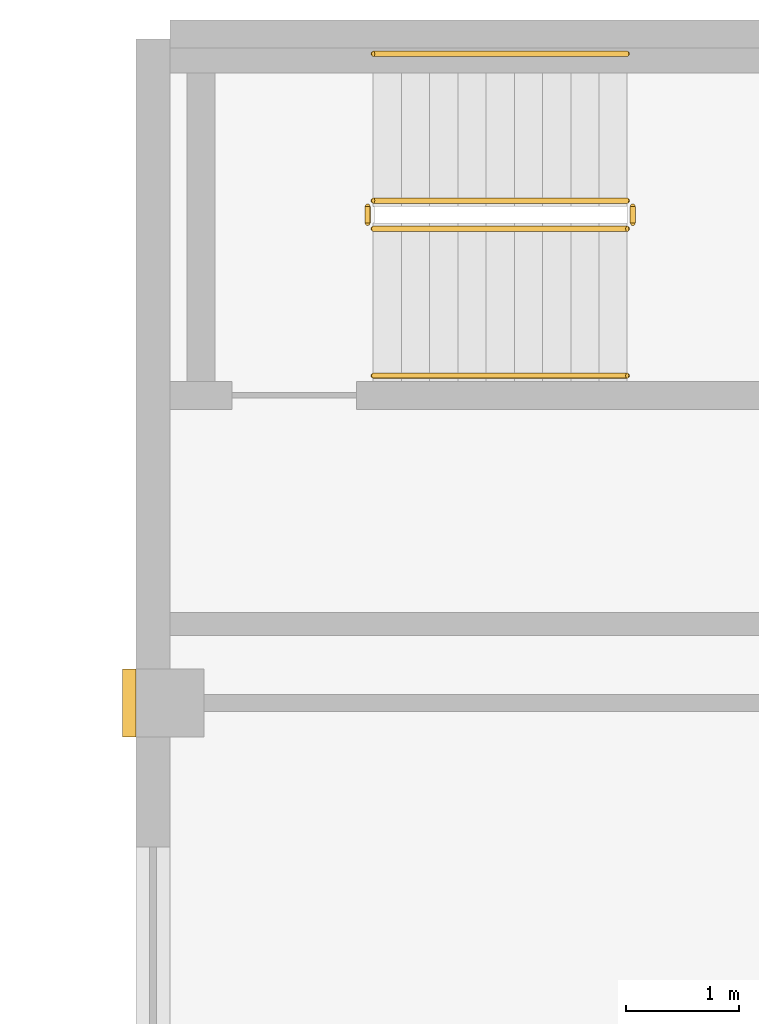
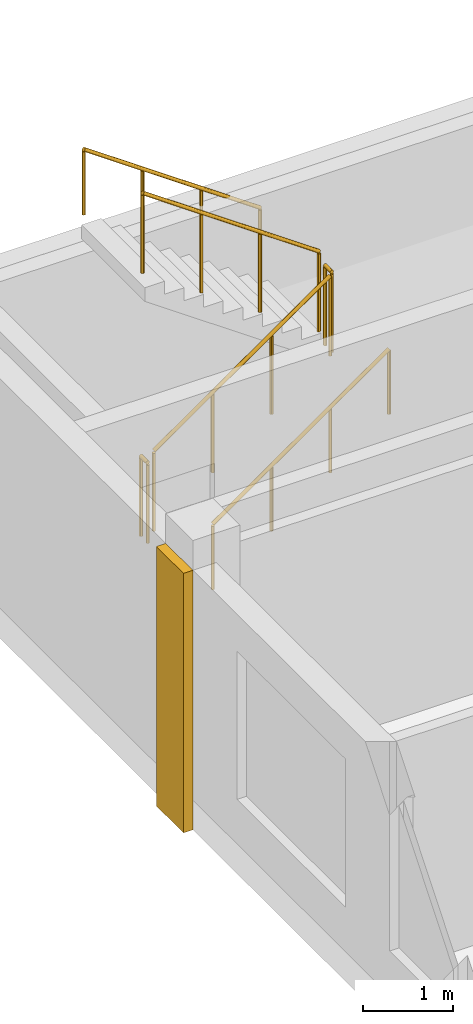
# One storey, part 10 of 10: 6 railings, 1 covering.
"""IFC4 building model written with IfcOpenShell, lengths in metres."""

from ifc_helpers import new_model, si_unit, direction, frame, origin, origin_2d, place, context, subcontext, project, spatial, rectangle, circle, extrude, source, transform, mapped, material, type_object, element, save


model = new_model("IFC4")

# Units and contexts
model_context = context("Model", 3, precision=1e-05, world=origin(), true_north=direction((0.0, 1.0)))
body_context = subcontext(model_context, "Body", "Model", "MODEL_VIEW")
ifc_project = project(units=[si_unit("LENGTHUNIT", "METRE"), si_unit("AREAUNIT", "SQUARE_METRE"), si_unit("VOLUMEUNIT", "CUBIC_METRE"), si_unit("PLANEANGLEUNIT", "RADIAN"), si_unit("MASSUNIT", "GRAM", prefix="KILO")], contexts=[model_context])

# Site, building, storey
site_placement = place(None, origin())
site = spatial("IfcSite", under=ifc_project, at=site_placement, CompositionType="ELEMENT")
building_placement = place(site_placement, origin())
building = spatial("IfcBuilding", under=site, at=building_placement, Name="Aurelian Terraces", CompositionType="ELEMENT")
storey_placement = place(building_placement, frame((0.0, 0.0, 354.5)))
storey = spatial("IfcBuildingStorey", under=building, at=storey_placement, Name="L84", CompositionType="ELEMENT", Elevation=354.5)

# Covering
ifc_material_1 = material(Name="Terracotta rainscreen cladding relief", Category="masonry")
covering_type = type_object("IfcCoveringType", Name="BAGUETTE-TC", PredefinedType="CLADDING", material=ifc_material_1)
shared_shape_1 = source(origin(), body_context, "Body", "SweptSolid", [
    extrude(rectangle(XDim=0.12, YDim=0.6, at=origin_2d()), origin(), (0.0, 0.0, 1.0), 3.5),
])
covering_placement = place(storey_placement, frame((10.44, 37.8, -0.4), z_axis=(0.0, 0.0, 1.0), x_axis=(1.0, 0.0, 0.0)))
element("IfcCovering", 1, at=covering_placement, inside=storey, type_object=covering_type, Name="BAGUETTE pier L84 7", PredefinedType="CLADDING", context=body_context, shape_type="MappedRepresentation", body=[
    mapped(shared_shape_1, transform((0.0, 0.0, 0.0), scale=1.0)),
])

# Railings
ifc_material_2 = material(Name="Stainless steel", Category="steel")
railing_type_1 = type_object("IfcRailingType", Name="Stair guard 1100", PredefinedType="GUARDRAIL", material=ifc_material_2)
shared_shape_2 = source(origin(), body_context, "Body", "SweptSolid", [
    extrude(circle(Radius=0.024, at=origin_2d()), frame((0.0, 0.0, 1.076), z_axis=(0.0, 1.0, 0.0), x_axis=(-1.0, 0.0, 0.0)), (0.0, 0.0, 1.0), 0.15),
    extrude(circle(Radius=0.021, at=origin_2d()), origin(), (0.0, 0.0, 1.0), 1.052),
    extrude(circle(Radius=0.021, at=origin_2d()), frame((0.0, 0.15, 0.0)), (0.0, 0.0, 1.0), 1.052),
])
for number, where, name in (
    (2, (14.9, 42.05, 1.75), "L84 S3U stair guard 2"),
    (3, (12.55, 42.05, 0.0), "L84 S3U stair guard 4"),
):
    element("IfcRailing", number, at=place(storey_placement, frame(where)), inside=storey, type_object=railing_type_1, Name=name, PredefinedType="GUARDRAIL", context=body_context, shape_type="MappedRepresentation", body=[
        mapped(shared_shape_2, transform((0.0, 0.0, 0.0), scale=1.0)),
    ])
shared_shape_3 = source(origin(), body_context, "Body", "SweptSolid", [
    extrude(circle(Radius=0.024, at=origin_2d()), frame((0.0, 0.0, 1.076), z_axis=(0.819231920519, 0.0, 0.573462344363), x_axis=(0.0, 1.0, 0.0)), (0.0, 0.0, 1.0), 2.7465),
    extrude(circle(Radius=0.021, at=origin_2d()), origin(), (0.0, 0.0, 1.0), 1.052),
    extrude(circle(Radius=0.021, at=origin_2d()), frame((0.75, 0.0, 0.525)), (0.0, 0.0, 1.0), 1.052),
    extrude(circle(Radius=0.021, at=origin_2d()), frame((1.5, 0.0, 1.05)), (0.0, 0.0, 1.0), 1.052),
    extrude(circle(Radius=0.021, at=origin_2d()), frame((2.25, 0.0, 1.575)), (0.0, 0.0, 1.0), 1.052),
])
railing_1_placement = place(storey_placement, frame((12.6, 42.0, 0.175)))
element("IfcRailing", 4, at=railing_1_placement, inside=storey, type_object=railing_type_1, Name="L84 S3U stair guard 1", PredefinedType="GUARDRAIL", context=body_context, shape_type="MappedRepresentation", body=[
    mapped(shared_shape_3, transform((0.0, 0.0, 0.0), scale=1.0)),
])
shared_shape_4 = source(origin(), body_context, "Body", "SweptSolid", [
    extrude(circle(Radius=0.024, at=origin_2d()), frame((0.0, 0.0, 1.076), z_axis=(-0.819231920519, 0.0, 0.573462344363), x_axis=(0.0, -1.0, 0.0)), (0.0, 0.0, 1.0), 2.7465),
    extrude(circle(Radius=0.021, at=origin_2d()), origin(), (0.0, 0.0, 1.0), 1.052),
    extrude(circle(Radius=0.021, at=origin_2d()), frame((-0.75, 0.0, 0.525)), (0.0, 0.0, 1.0), 1.052),
    extrude(circle(Radius=0.021, at=origin_2d()), frame((-1.5, 0.0, 1.05)), (0.0, 0.0, 1.0), 1.052),
    extrude(circle(Radius=0.021, at=origin_2d()), frame((-2.25, 0.0, 1.575)), (0.0, 0.0, 1.0), 1.052),
])
railing_2_placement = place(storey_placement, frame((14.85, 42.25, 1.925)))
element("IfcRailing", 5, at=railing_2_placement, inside=storey, type_object=railing_type_1, Name="L84 S3U stair guard 3", PredefinedType="GUARDRAIL", context=body_context, shape_type="MappedRepresentation", body=[
    mapped(shared_shape_4, transform((0.0, 0.0, 0.0), scale=1.0)),
])
railing_type_2 = type_object("IfcRailingType", Name="Stair handrail", PredefinedType="HANDRAIL", material=ifc_material_2)
shared_shape_5 = source(origin(), body_context, "Body", "SweptSolid", [
    extrude(circle(Radius=0.024, at=origin_2d()), frame((0.0, 0.0, 0.876), z_axis=(0.819231920519, 0.0, 0.573462344363), x_axis=(0.0, 1.0, 0.0)), (0.0, 0.0, 1.0), 2.7465),
    extrude(circle(Radius=0.021, at=origin_2d()), origin(), (0.0, 0.0, 1.0), 0.852),
    extrude(circle(Radius=0.021, at=origin_2d()), frame((0.75, 0.0, 0.525)), (0.0, 0.0, 1.0), 0.852),
    extrude(circle(Radius=0.021, at=origin_2d()), frame((1.5, 0.0, 1.05)), (0.0, 0.0, 1.0), 0.852),
    extrude(circle(Radius=0.021, at=origin_2d()), frame((2.25, 0.0, 1.575)), (0.0, 0.0, 1.0), 0.852),
])
railing_3_placement = place(storey_placement, frame((12.6, 40.7, 0.175)))
element("IfcRailing", 6, at=railing_3_placement, inside=storey, type_object=railing_type_2, Name="L84 S3U stair handrail 1", PredefinedType="HANDRAIL", context=body_context, shape_type="MappedRepresentation", body=[
    mapped(shared_shape_5, transform((0.0, 0.0, 0.0), scale=1.0)),
])
shared_shape_6 = source(origin(), body_context, "Body", "SweptSolid", [
    extrude(circle(Radius=0.024, at=origin_2d()), frame((0.0, 0.0, 0.876), z_axis=(-0.819231920519, 0.0, 0.573462344363), x_axis=(0.0, -1.0, 0.0)), (0.0, 0.0, 1.0), 2.7465),
    extrude(circle(Radius=0.021, at=origin_2d()), origin(), (0.0, 0.0, 1.0), 0.852),
    extrude(circle(Radius=0.021, at=origin_2d()), frame((-0.75, 0.0, 0.525)), (0.0, 0.0, 1.0), 0.852),
    extrude(circle(Radius=0.021, at=origin_2d()), frame((-1.5, 0.0, 1.05)), (0.0, 0.0, 1.0), 0.852),
    extrude(circle(Radius=0.021, at=origin_2d()), frame((-2.25, 0.0, 1.575)), (0.0, 0.0, 1.0), 0.852),
])
railing_4_placement = place(storey_placement, frame((14.85, 43.55, 1.925)))
element("IfcRailing", 7, at=railing_4_placement, inside=storey, type_object=railing_type_2, Name="L84 S3U stair handrail 2", PredefinedType="HANDRAIL", context=body_context, shape_type="MappedRepresentation", body=[
    mapped(shared_shape_6, transform((0.0, 0.0, 0.0), scale=1.0)),
])

save(model, "model.ifc")
